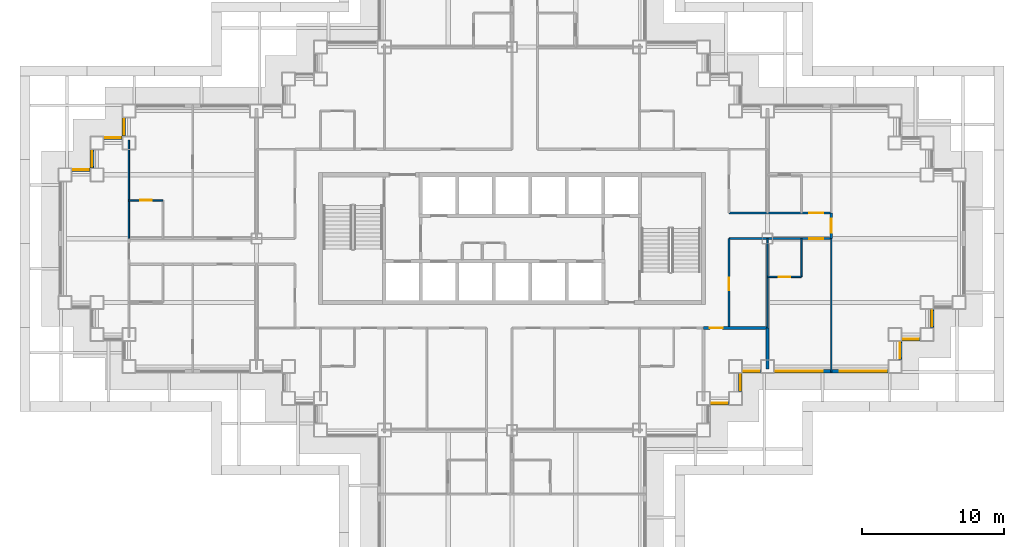
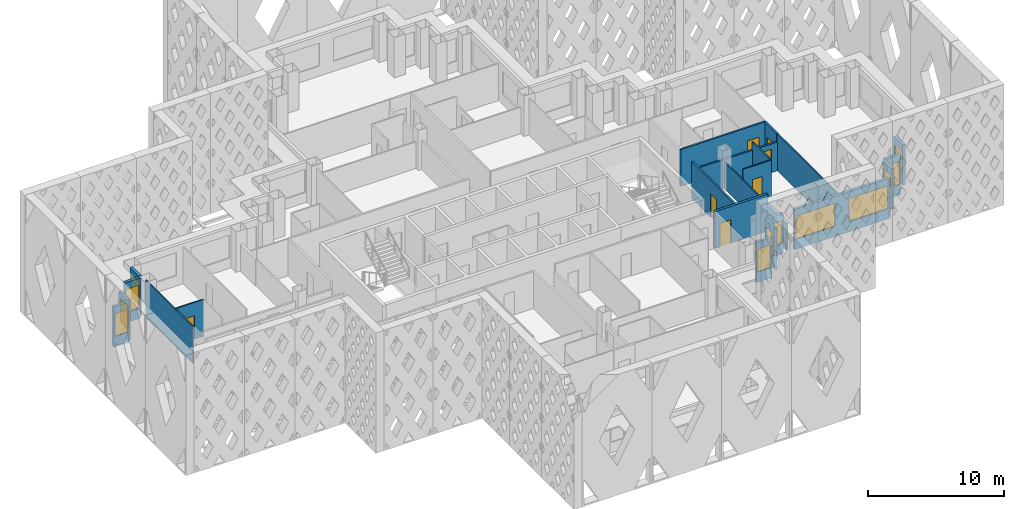
# One storey, part 6 of 19: 23 walls, 12 windows, 7 doors, 19 openings.
"""IFC4 building model written with IfcOpenShell, lengths in metres."""

from ifc_helpers import new_model, si_unit, direction, frame, frame_2d, origin, place, context, subcontext, project, spatial, rectangle, extrude, material, layer, layer_set, type_object, element, fill, save


model = new_model("IFC4")

# Units and contexts
model_context = context("Model", 3, precision=1e-05, world=origin(), true_north=direction((0.0, 1.0)))
body_context = subcontext(model_context, "Body", "Model", "MODEL_VIEW")
ifc_project = project(units=[si_unit("LENGTHUNIT", "METRE"), si_unit("AREAUNIT", "SQUARE_METRE"), si_unit("VOLUMEUNIT", "CUBIC_METRE"), si_unit("PLANEANGLEUNIT", "RADIAN"), si_unit("MASSUNIT", "GRAM", prefix="KILO")], contexts=[model_context])

# Site, building, storey
site_placement = place(None, origin())
site = spatial("IfcSite", under=ifc_project, at=site_placement, CompositionType="ELEMENT")
building_placement = place(site_placement, origin())
building = spatial("IfcBuilding", under=site, at=building_placement, Name="Caravel Reach Hotel and Residences", CompositionType="ELEMENT")
storey_placement = place(building_placement, frame((0.0, 0.0, 85.199951171875)))
storey = spatial("IfcBuildingStorey", under=building, at=storey_placement, Name="L20", CompositionType="ELEMENT", Elevation=85.199951171875)

# Wall, opening, door
ifc_material_1 = material(Name="Gypsum board on steel stud", Category="steel")
ifc_layer_1 = layer(ifc_material_1, 0.10009765625)
ifc_layer_set_1 = layer_set([ifc_layer_1], Name="Bathroom pod wall 100 mm")
wall_type_1 = type_object("IfcWallType", Name="Bathroom pod wall 100 mm", PredefinedType="PARTITIONING", material=ifc_layer_set_1)
wall_1_placement = place(storey_placement, frame((49.5, 24.300048828125, 0.0), z_axis=(0.0, 0.0, 1.0), x_axis=(1.0, 0.0, 0.0)))
wall_1 = element("IfcWall", 1, at=wall_1_placement, inside=storey, type_object=wall_type_1, Name="L20 wall w076", PredefinedType="PARTITIONING", context=body_context, shape_type="SweptSolid", body=[
    extrude(rectangle(XDim=2.39990234375, YDim=0.10009765625, at=frame_2d((1.199951171875, 0.0))), origin(), (0.0, 0.0, 1.0), 3.300048828125),
])
opening_1_placement = place(wall_1_placement, frame((0.800048828125, 0.0, 0.0)))
opening_1 = element("IfcOpeningElement", 2, at=opening_1_placement, cuts=wall_1, Name="Opening D20-023", PredefinedType="OPENING", context=body_context, shape_type="SweptSolid", body=[
    extrude(rectangle(XDim=0.800048828125, YDim=2.10009765625, at=frame_2d((0.39990234375, 1.050048828125))), frame((0.0, 0.06005859375, 0.0), z_axis=(0.0, -1.0, 0.0), x_axis=(1.0, 0.0, 0.0)), (0.0, 0.0, 1.0), 0.1201171875),
])
ifc_material_2 = material(Name="Timber and steel door leaf", Category="steel")
door_type_1 = type_object("IfcDoorType", Name="Bathroom door 800 x 2100", OperationType="SINGLE_SWING_LEFT", PredefinedType="DOOR", material=ifc_material_2)
door_1_placement = place(opening_1_placement, origin())
door_1 = element("IfcDoor", 3, at=door_1_placement, inside=storey, type_object=door_type_1, Name="door D20-023", OperationType="SINGLE_SWING_LEFT", OverallHeight=2.10009765625, OverallWidth=0.800048828125, PredefinedType="DOOR", context=body_context, shape_type="SweptSolid", body=[
    extrude(rectangle(XDim=0.800048828125, YDim=2.10009765625, at=frame_2d((0.39990234375, 1.050048828125))), frame((0.0, 0.02490234375, 0.0), z_axis=(0.0, -1.0, 0.0), x_axis=(1.0, 0.0, 0.0)), (0.0, 0.0, 1.0), 0.050048828125),
])
fill(opening_1, door_1)

wall_2_placement = place(storey_placement, frame((4.5, 29.699951171875, 0.0), z_axis=(0.0, 0.0, 1.0), x_axis=(1.0, 0.0, 0.0)))
wall_2 = element("IfcWall", 4, at=wall_2_placement, inside=storey, type_object=wall_type_1, Name="L20 wall w077", PredefinedType="PARTITIONING", context=body_context, shape_type="SweptSolid", body=[
    extrude(rectangle(XDim=2.39990234375, YDim=0.10009765625, at=frame_2d((1.199951171875, 0.0))), origin(), (0.0, 0.0, 1.0), 3.300048828125),
])
opening_2_placement = place(wall_2_placement, frame((0.800048828125, 0.0, 0.0)))
opening_2 = element("IfcOpeningElement", 5, at=opening_2_placement, cuts=wall_2, Name="Opening D20-021", PredefinedType="OPENING", context=body_context, shape_type="SweptSolid", body=[
    extrude(rectangle(XDim=0.800048828125, YDim=2.10009765625, at=frame_2d((0.39990234375, 1.050048828125))), frame((0.0, 0.06005859375, 0.0), z_axis=(0.0, -1.0, 0.0), x_axis=(1.0, 0.0, 0.0)), (0.0, 0.0, 1.0), 0.1201171875),
])
door_2_placement = place(opening_2_placement, origin())
door_2 = element("IfcDoor", 6, at=door_2_placement, inside=storey, type_object=door_type_1, Name="door D20-021", OperationType="SINGLE_SWING_RIGHT", OverallHeight=2.10009765625, OverallWidth=0.800048828125, PredefinedType="DOOR", context=body_context, shape_type="SweptSolid", body=[
    extrude(rectangle(XDim=0.800048828125, YDim=2.10009765625, at=frame_2d((0.39990234375, 1.050048828125))), frame((0.0, 0.02490234375, 0.0), z_axis=(0.0, -1.0, 0.0), x_axis=(1.0, 0.0, 0.0)), (0.0, 0.0, 1.0), 0.050048828125),
])
fill(opening_2, door_2)

# Wall
wall_3_placement = place(storey_placement, frame((51.89990234375, 24.300048828125, 0.0), z_axis=(0.0, 0.0, 1.0), x_axis=(0.0, 1.0, 0.0)))
element("IfcWall", 7, at=wall_3_placement, inside=storey, type_object=wall_type_1, Name="L20 wall w093", PredefinedType="PARTITIONING", context=body_context, shape_type="SweptSolid", body=[
    extrude(rectangle(XDim=2.699951171875, YDim=0.10009765625, at=frame_2d((1.35009765625, 0.0))), origin(), (0.0, 0.0, 1.0), 3.300048828125),
])

# Wall, opening, door
ifc_material_3 = material(Name="Autoclaved aerated block wall")
ifc_layer_2 = layer(ifc_material_3, 0.199951171875)
ifc_layer_set_2 = layer_set([ifc_layer_2], Name="Compartment wall 200 mm EI 120")
wall_type_2 = type_object("IfcWallType", Name="Compartment wall 200 mm EI 120", PredefinedType="PARTITIONING", material=ifc_layer_set_2)
wall_4_placement = place(storey_placement, frame((45.0, 20.699951171875, 0.0), z_axis=(0.0, 0.0, 1.0), x_axis=(1.0, 0.0, 0.0)))
wall_4 = element("IfcWall", 8, at=wall_4_placement, inside=storey, type_object=wall_type_2, Name="L20 wall w096", PredefinedType="PARTITIONING", context=body_context, shape_type="SweptSolid", body=[
    extrude(rectangle(XDim=4.5, YDim=0.199951171875, at=frame_2d((2.25, 0.0))), origin(), (0.0, 0.0, 1.0), 3.300048828125),
])
opening_3_placement = place(wall_4_placement, frame((0.449951171875, 0.0, 0.0)))
opening_3 = element("IfcOpeningElement", 9, at=opening_3_placement, cuts=wall_4, Name="Opening D20-047", PredefinedType="OPENING", context=body_context, shape_type="SweptSolid", body=[
    extrude(rectangle(XDim=0.89990234375, YDim=2.10009765625, at=frame_2d((0.449951171875, 1.050048828125))), frame((0.0, 0.10986328125, 0.0), z_axis=(0.0, -1.0, 0.0), x_axis=(1.0, 0.0, 0.0)), (0.0, 0.0, 1.0), 0.219970703125),
])
ifc_material_4 = material(Name="Steel fire door leaf", Category="steel")
door_type_2 = type_object("IfcDoorType", Name="Riser door 900 x 2100 EI 60", OperationType="SINGLE_SWING_LEFT", PredefinedType="DOOR", material=ifc_material_4)
door_3_placement = place(opening_3_placement, origin())
door_3 = element("IfcDoor", 10, at=door_3_placement, inside=storey, type_object=door_type_2, Name="door D20-047", OperationType="SINGLE_SWING_LEFT", OverallHeight=2.10009765625, OverallWidth=0.89990234375, PredefinedType="DOOR", context=body_context, shape_type="SweptSolid", body=[
    extrude(rectangle(XDim=0.89990234375, YDim=2.10009765625, at=frame_2d((0.449951171875, 1.050048828125))), frame((0.0, 0.02490234375, 0.0), z_axis=(0.0, -1.0, 0.0), x_axis=(1.0, 0.0, 0.0)), (0.0, 0.0, 1.0), 0.050048828125),
])
fill(opening_3, door_3)

# Wall
wall_5_placement = place(storey_placement, frame((49.5, 17.81005859375, 0.0), z_axis=(0.0, 0.0, 1.0), x_axis=(0.0, 1.0, 0.0)))
element("IfcWall", 11, at=wall_5_placement, inside=storey, type_object=wall_type_2, Name="L20 wall w099", PredefinedType="PARTITIONING", context=body_context, shape_type="SweptSolid", body=[
    extrude(rectangle(XDim=2.889892578125, YDim=0.199951171875, at=frame_2d((1.44482421875, 0.0))), origin(), (0.0, 0.0, 1.0), 2.380126953125),
])

# Wall, opening, door
ifc_material_5 = material(Name="Gypsum board on steel stud, fire-rated", Category="steel")
ifc_layer_3 = layer(ifc_material_5, 0.14990234375)
ifc_layer_set_3 = layer_set([ifc_layer_3], Name="Corridor wall 150 mm EI 60")
wall_type_3 = type_object("IfcWallType", Name="Corridor wall 150 mm EI 60", PredefinedType="PARTITIONING", material=ifc_layer_set_3)
wall_6_placement = place(storey_placement, frame((46.800048828125, 27.0, 0.0), z_axis=(0.0, 0.0, 1.0), x_axis=(1.0, 0.0, 0.0)))
wall_6 = element("IfcWall", 12, at=wall_6_placement, inside=storey, type_object=wall_type_3, Name="L20 wall w012", PredefinedType="PARTITIONING", context=body_context, shape_type="SweptSolid", body=[
    extrude(rectangle(XDim=7.199951171875, YDim=0.14990234375, at=frame_2d((3.60009765625, 0.0))), origin(), (0.0, 0.0, 1.0), 2.580078125),
])
opening_4_placement = place(wall_6_placement, frame((5.64990234375, 0.0, 0.0)))
opening_4 = element("IfcOpeningElement", 13, at=opening_4_placement, cuts=wall_6, Name="Opening D20-022", PredefinedType="OPENING", context=body_context, shape_type="SweptSolid", body=[
    extrude(rectangle(XDim=1.0, YDim=2.10009765625, at=frame_2d((0.5, 1.050048828125))), frame((0.0, 0.0849609375, 0.0), z_axis=(0.0, -1.0, 0.0), x_axis=(1.0, 0.0, 0.0)), (0.0, 0.0, 1.0), 0.169921875),
])
ifc_material_6 = material(Name="Steel fire door leaf", Category="steel")
door_type_3 = type_object("IfcDoorType", Name="Guest room door 1000 x 2100 EI 30", OperationType="SINGLE_SWING_LEFT", PredefinedType="DOOR", material=ifc_material_6)
door_4_placement = place(opening_4_placement, origin())
door_4 = element("IfcDoor", 14, at=door_4_placement, inside=storey, type_object=door_type_3, Name="door D20-022", OperationType="SINGLE_SWING_RIGHT", OverallHeight=2.10009765625, OverallWidth=1.0, PredefinedType="DOOR", context=body_context, shape_type="SweptSolid", body=[
    extrude(rectangle(XDim=1.0, YDim=2.10009765625, at=frame_2d((0.5, 1.050048828125))), frame((0.0, 0.02490234375, 0.0), z_axis=(0.0, -1.0, 0.0), x_axis=(1.0, 0.0, 0.0)), (0.0, 0.0, 1.0), 0.050048828125),
])
fill(opening_4, door_4)

wall_7_placement = place(storey_placement, frame((46.800048828125, 28.800048828125, 0.0), z_axis=(0.0, 0.0, 1.0), x_axis=(1.0, 0.0, 0.0)))
wall_7 = element("IfcWall", 15, at=wall_7_placement, inside=storey, type_object=wall_type_3, Name="L20 wall w017", PredefinedType="PARTITIONING", context=body_context, shape_type="SweptSolid", body=[
    extrude(rectangle(XDim=7.199951171875, YDim=0.14990234375, at=frame_2d((3.60009765625, 0.0))), origin(), (0.0, 0.0, 1.0), 3.300048828125),
])
opening_5_placement = place(wall_7_placement, frame((5.64990234375, 0.0, 0.0)))
opening_5 = element("IfcOpeningElement", 16, at=opening_5_placement, cuts=wall_7, Name="Opening D20-024", PredefinedType="OPENING", context=body_context, shape_type="SweptSolid", body=[
    extrude(rectangle(XDim=1.0, YDim=2.10009765625, at=frame_2d((0.5, 1.050048828125))), frame((0.0, 0.0849609375, 0.0), z_axis=(0.0, -1.0, 0.0), x_axis=(1.0, 0.0, 0.0)), (0.0, 0.0, 1.0), 0.169921875),
])
door_5_placement = place(opening_5_placement, origin())
door_5 = element("IfcDoor", 17, at=door_5_placement, inside=storey, type_object=door_type_3, Name="door D20-024", OperationType="SINGLE_SWING_RIGHT", OverallHeight=2.10009765625, OverallWidth=1.0, PredefinedType="DOOR", context=body_context, shape_type="SweptSolid", body=[
    extrude(rectangle(XDim=1.0, YDim=2.10009765625, at=frame_2d((0.5, 1.050048828125))), frame((0.0, 0.02490234375, 0.0), z_axis=(0.0, -1.0, 0.0), x_axis=(1.0, 0.0, 0.0)), (0.0, 0.0, 1.0), 0.050048828125),
])
fill(opening_5, door_5)

wall_8_placement = place(storey_placement, frame((46.800048828125, 20.699951171875, 0.0), z_axis=(0.0, 0.0, 1.0), x_axis=(0.0, 1.0, 0.0)))
wall_8 = element("IfcWall", 18, at=wall_8_placement, inside=storey, type_object=wall_type_3, Name="L20 wall w036", PredefinedType="PARTITIONING", context=body_context, shape_type="SweptSolid", body=[
    extrude(rectangle(XDim=6.300048828125, YDim=0.14990234375, at=frame_2d((3.14990234375, 0.0))), origin(), (0.0, 0.0, 1.0), 3.300048828125),
])
opening_6_placement = place(wall_8_placement, frame((2.64990234375, 0.0, 0.0)))
opening_6 = element("IfcOpeningElement", 19, at=opening_6_placement, cuts=wall_8, Name="Opening D20-056", PredefinedType="OPENING", context=body_context, shape_type="SweptSolid", body=[
    extrude(rectangle(XDim=0.89990234375, YDim=2.10009765625, at=frame_2d((0.449951171875, 1.050048828125))), frame((0.0, 0.0849609375, 0.0), z_axis=(0.0, -1.0, 0.0), x_axis=(1.0, 0.0, 0.0)), (0.0, 0.0, 1.0), 0.169921875),
])
ifc_material_7 = material(Name="Timber and steel door leaf", Category="steel")
door_type_4 = type_object("IfcDoorType", Name="Door 900 x 2100 timber", OperationType="SINGLE_SWING_LEFT", PredefinedType="DOOR", material=ifc_material_7)
door_6_placement = place(opening_6_placement, origin())
door_6 = element("IfcDoor", 20, at=door_6_placement, inside=storey, type_object=door_type_4, Name="door D20-056", OperationType="SINGLE_SWING_RIGHT", OverallHeight=2.10009765625, OverallWidth=0.89990234375, PredefinedType="DOOR", context=body_context, shape_type="SweptSolid", body=[
    extrude(rectangle(XDim=0.89990234375, YDim=2.10009765625, at=frame_2d((0.449951171875, 1.050048828125))), frame((0.0, 0.02490234375, 0.0), z_axis=(0.0, -1.0, 0.0), x_axis=(1.0, 0.0, 0.0)), (0.0, 0.0, 1.0), 0.050048828125),
])
fill(opening_6, door_6)

wall_9_placement = place(storey_placement, frame((54.0, 27.0, 0.0), z_axis=(0.0, 0.0, 1.0), x_axis=(0.0, 1.0, 0.0)))
wall_9 = element("IfcWall", 21, at=wall_9_placement, inside=storey, type_object=wall_type_3, Name="L20 wall w037", PredefinedType="PARTITIONING", context=body_context, shape_type="SweptSolid", body=[
    extrude(rectangle(XDim=1.800048828125, YDim=0.14990234375, at=frame_2d((0.89990234375, 0.0))), origin(), (0.0, 0.0, 1.0), 3.300048828125),
])
opening_7_placement = place(wall_9_placement, frame((0.39990234375, 0.0, 0.0)))
opening_7 = element("IfcOpeningElement", 22, at=opening_7_placement, cuts=wall_9, Name="Opening D20-035", PredefinedType="OPENING", context=body_context, shape_type="SweptSolid", body=[
    extrude(rectangle(XDim=1.0, YDim=2.10009765625, at=frame_2d((0.5, 1.050048828125))), frame((0.0, 0.0849609375, 0.0), z_axis=(0.0, -1.0, 0.0), x_axis=(1.0, 0.0, 0.0)), (0.0, 0.0, 1.0), 0.169921875),
])
door_7_placement = place(opening_7_placement, origin())
door_7 = element("IfcDoor", 23, at=door_7_placement, inside=storey, type_object=door_type_3, Name="door D20-035", OperationType="SINGLE_SWING_LEFT", OverallHeight=2.10009765625, OverallWidth=1.0, PredefinedType="DOOR", context=body_context, shape_type="SweptSolid", body=[
    extrude(rectangle(XDim=1.0, YDim=2.10009765625, at=frame_2d((0.5, 1.050048828125))), frame((0.0, 0.02490234375, 0.0), z_axis=(0.0, -1.0, 0.0), x_axis=(1.0, 0.0, 0.0)), (0.0, 0.0, 1.0), 0.050048828125),
])
fill(opening_7, door_7)

# Wall, opening, window
ifc_material_8 = material(Name="Insulated rainscreen wall, aluminium cladding", Category="aluminium")
ifc_layer_4 = layer(ifc_material_8, 0.25)
ifc_layer_set_4 = layer_set([ifc_layer_4], Name="EW1 Tower rainscreen wall")
wall_type_4 = type_object("IfcWallType", Name="EW1 Tower rainscreen wall", PredefinedType="SOLIDWALL", material=ifc_layer_set_4)
wall_10_placement = place(storey_placement, frame((45.47509765625, 15.39990234375, 0.0), z_axis=(0.0, 0.0, 1.0), x_axis=(1.0, 0.0, 0.0)))
wall_10 = element("IfcWall", 24, at=wall_10_placement, inside=storey, type_object=wall_type_4, Name="External wall L20 S13.1", PredefinedType="SOLIDWALL", context=body_context, shape_type="SweptSolid", body=[
    extrude(rectangle(XDim=1.2998046875, YDim=0.25, at=frame_2d((0.64990234375, 0.0))), origin(), (0.0, 0.0, 1.0), 3.60009765625),
])
opening_8_placement = place(wall_10_placement, frame((0.10009765625, 0.0, 0.89990234375)))
opening_8 = element("IfcOpeningElement", 25, at=opening_8_placement, cuts=wall_10, Name="Opening WN5", PredefinedType="OPENING", context=body_context, shape_type="SweptSolid", body=[
    extrude(rectangle(XDim=1.10009765625, YDim=2.080078125, at=frame_2d((0.550048828125, 1.0400390625))), frame((0.0, 0.135009765625, 0.0), z_axis=(0.0, -1.0, 0.0), x_axis=(1.0, 0.0, 0.0)), (0.0, 0.0, 1.0), 0.27001953125),
])
ifc_material_9 = material(Name="Dark low-e glazing in black aluminium frame", Category="aluminium")
window_type_1 = type_object("IfcWindowType", Name="Hotel suite corner window 1100 x 2080", PartitioningType="SINGLE_PANEL", PredefinedType="WINDOW", material=ifc_material_9)
window_1_placement = place(opening_8_placement, origin())
window_1 = element("IfcWindow", 26, at=window_1_placement, inside=storey, type_object=window_type_1, Name="Window L20 S13.1.1", OverallHeight=2.080078125, OverallWidth=1.10009765625, PartitioningType="SINGLE_PANEL", PredefinedType="WINDOW", context=body_context, shape_type="SweptSolid", body=[
    extrude(rectangle(XDim=1.10009765625, YDim=2.080078125, at=frame_2d((0.550048828125, 1.0400390625))), frame((0.0, 0.030029296875, 0.0), z_axis=(0.0, -1.0, 0.0), x_axis=(1.0, 0.0, 0.0)), (0.0, 0.0, 1.0), 0.06005859375),
])
fill(opening_8, window_1)

wall_11_placement = place(storey_placement, frame((47.60009765625, 16.22509765625, 0.0), z_axis=(0.0, 0.0, 1.0), x_axis=(0.0, 1.0, 0.0)))
wall_11 = element("IfcWall", 27, at=wall_11_placement, inside=storey, type_object=wall_type_4, Name="External wall L20 E14.1", PredefinedType="SOLIDWALL", context=body_context, shape_type="SweptSolid", body=[
    extrude(rectangle(XDim=1.2998046875, YDim=0.25, at=frame_2d((0.64990234375, 0.0))), origin(), (0.0, 0.0, 1.0), 3.60009765625),
])
opening_9_placement = place(wall_11_placement, frame((0.10009765625, 0.0, 0.89990234375)))
opening_9 = element("IfcOpeningElement", 28, at=opening_9_placement, cuts=wall_11, Name="Opening WN5", PredefinedType="OPENING", context=body_context, shape_type="SweptSolid", body=[
    extrude(rectangle(XDim=1.10009765625, YDim=2.080078125, at=frame_2d((0.550048828125, 1.0400390625))), frame((0.0, 0.135009765625, 0.0), z_axis=(0.0, -1.0, 0.0), x_axis=(1.0, 0.0, 0.0)), (0.0, 0.0, 1.0), 0.27001953125),
])
window_2_placement = place(opening_9_placement, origin())
window_2 = element("IfcWindow", 29, at=window_2_placement, inside=storey, type_object=window_type_1, Name="Window L20 E14.1.1", OverallHeight=2.080078125, OverallWidth=1.10009765625, PartitioningType="SINGLE_PANEL", PredefinedType="WINDOW", context=body_context, shape_type="SweptSolid", body=[
    extrude(rectangle(XDim=1.10009765625, YDim=2.080078125, at=frame_2d((0.550048828125, 1.0400390625))), frame((0.0, 0.030029296875, 0.0), z_axis=(0.0, -1.0, 0.0), x_axis=(1.0, 0.0, 0.0)), (0.0, 0.0, 1.0), 0.06005859375),
])
fill(opening_9, window_2)

wall_12_placement = place(storey_placement, frame((47.72509765625, 17.64990234375, 0.0), z_axis=(0.0, 0.0, 1.0), x_axis=(1.0, 0.0, 0.0)))
wall_12 = element("IfcWall", 30, at=wall_12_placement, inside=storey, type_object=wall_type_4, Name="External wall L20 S15.1", PredefinedType="SOLIDWALL", context=body_context, shape_type="SweptSolid", body=[
    extrude(rectangle(XDim=1.2998046875, YDim=0.25, at=frame_2d((0.64990234375, 0.0))), origin(), (0.0, 0.0, 1.0), 3.60009765625),
])
opening_10_placement = place(wall_12_placement, frame((0.10009765625, 0.0, 0.89990234375)))
opening_10 = element("IfcOpeningElement", 31, at=opening_10_placement, cuts=wall_12, Name="Opening WN5", PredefinedType="OPENING", context=body_context, shape_type="SweptSolid", body=[
    extrude(rectangle(XDim=1.10009765625, YDim=2.080078125, at=frame_2d((0.550048828125, 1.0400390625))), frame((0.0, 0.135009765625, 0.0), z_axis=(0.0, -1.0, 0.0), x_axis=(1.0, 0.0, 0.0)), (0.0, 0.0, 1.0), 0.27001953125),
])
window_3_placement = place(opening_10_placement, origin())
window_3 = element("IfcWindow", 32, at=window_3_placement, inside=storey, type_object=window_type_1, Name="Window L20 S15.1.1", OverallHeight=2.080078125, OverallWidth=1.10009765625, PartitioningType="SINGLE_PANEL", PredefinedType="WINDOW", context=body_context, shape_type="SweptSolid", body=[
    extrude(rectangle(XDim=1.10009765625, YDim=2.080078125, at=frame_2d((0.550048828125, 1.0400390625))), frame((0.0, 0.030029296875, 0.0), z_axis=(0.0, -1.0, 0.0), x_axis=(1.0, 0.0, 0.0)), (0.0, 0.0, 1.0), 0.06005859375),
])
fill(opening_10, window_3)

# Wall, openings, windows
wall_13_placement = place(storey_placement, frame((49.97509765625, 17.64990234375, 0.0), z_axis=(0.0, 0.0, 1.0), x_axis=(1.0, 0.0, 0.0)))
wall_13 = element("IfcWall", 33, at=wall_13_placement, inside=storey, type_object=wall_type_4, Name="External wall L20 S15.2", PredefinedType="SOLIDWALL", context=body_context, shape_type="SweptSolid", body=[
    extrude(rectangle(XDim=8.0498046875, YDim=0.25, at=frame_2d((4.02490234375, 0.0))), origin(), (0.0, 0.0, 1.0), 3.60009765625),
])
opening_11_placement = place(wall_13_placement, frame((0.125, 0.0, 0.89990234375)))
opening_11 = element("IfcOpeningElement", 34, at=opening_11_placement, cuts=wall_13, Name="Opening WN4", PredefinedType="OPENING", context=body_context, shape_type="SweptSolid", body=[
    extrude(rectangle(XDim=3.300048828125, YDim=2.080078125, at=frame_2d((1.64990234375, 1.0400390625))), frame((0.0, 0.135009765625, 0.0), z_axis=(0.0, -1.0, 0.0), x_axis=(1.0, 0.0, 0.0)), (0.0, 0.0, 1.0), 0.27001953125),
])
opening_12_placement = place(wall_13_placement, frame((4.625, 0.0, 0.89990234375)))
opening_12 = element("IfcOpeningElement", 35, at=opening_12_placement, cuts=wall_13, Name="Opening WN4", PredefinedType="OPENING", context=body_context, shape_type="SweptSolid", body=[
    extrude(rectangle(XDim=3.300048828125, YDim=2.080078125, at=frame_2d((1.64990234375, 1.0400390625))), frame((0.0, 0.135009765625, 0.0), z_axis=(0.0, -1.0, 0.0), x_axis=(1.0, 0.0, 0.0)), (0.0, 0.0, 1.0), 0.27001953125),
])
ifc_material_10 = material(Name="Dark low-e glazing in black aluminium frame", Category="aluminium")
window_type_2 = type_object("IfcWindowType", Name="Hotel guest room window 3300 x 2080", PartitioningType="SINGLE_PANEL", PredefinedType="WINDOW", material=ifc_material_10)
window_4_placement = place(opening_11_placement, origin())
window_4 = element("IfcWindow", 36, at=window_4_placement, inside=storey, type_object=window_type_2, Name="Window L20 S15.2.1", OverallHeight=2.080078125, OverallWidth=3.300048828125, PartitioningType="SINGLE_PANEL", PredefinedType="WINDOW", context=body_context, shape_type="SweptSolid", body=[
    extrude(rectangle(XDim=3.300048828125, YDim=2.080078125, at=frame_2d((1.64990234375, 1.0400390625))), frame((0.0, 0.030029296875, 0.0), z_axis=(0.0, -1.0, 0.0), x_axis=(1.0, 0.0, 0.0)), (0.0, 0.0, 1.0), 0.06005859375),
])
fill(opening_11, window_4)
window_5_placement = place(opening_12_placement, origin())
window_5 = element("IfcWindow", 37, at=window_5_placement, inside=storey, type_object=window_type_2, Name="Window L20 S15.2.2", OverallHeight=2.080078125, OverallWidth=3.300048828125, PartitioningType="SINGLE_PANEL", PredefinedType="WINDOW", context=body_context, shape_type="SweptSolid", body=[
    extrude(rectangle(XDim=3.300048828125, YDim=2.080078125, at=frame_2d((1.64990234375, 1.0400390625))), frame((0.0, 0.030029296875, 0.0), z_axis=(0.0, -1.0, 0.0), x_axis=(1.0, 0.0, 0.0)), (0.0, 0.0, 1.0), 0.06005859375),
])
fill(opening_12, window_5)

# Wall, opening, window
wall_14_placement = place(storey_placement, frame((58.85009765625, 18.47509765625, 0.0), z_axis=(0.0, 0.0, 1.0), x_axis=(0.0, 1.0, 0.0)))
wall_14 = element("IfcWall", 38, at=wall_14_placement, inside=storey, type_object=wall_type_4, Name="External wall L20 E16.1", PredefinedType="SOLIDWALL", context=body_context, shape_type="SweptSolid", body=[
    extrude(rectangle(XDim=1.2998046875, YDim=0.25, at=frame_2d((0.64990234375, 0.0))), origin(), (0.0, 0.0, 1.0), 3.60009765625),
])
opening_13_placement = place(wall_14_placement, frame((0.10009765625, 0.0, 0.89990234375)))
opening_13 = element("IfcOpeningElement", 39, at=opening_13_placement, cuts=wall_14, Name="Opening WN5", PredefinedType="OPENING", context=body_context, shape_type="SweptSolid", body=[
    extrude(rectangle(XDim=1.10009765625, YDim=2.080078125, at=frame_2d((0.550048828125, 1.0400390625))), frame((0.0, 0.135009765625, 0.0), z_axis=(0.0, -1.0, 0.0), x_axis=(1.0, 0.0, 0.0)), (0.0, 0.0, 1.0), 0.27001953125),
])
window_6_placement = place(opening_13_placement, origin())
window_6 = element("IfcWindow", 40, at=window_6_placement, inside=storey, type_object=window_type_1, Name="Window L20 E16.1.1", OverallHeight=2.080078125, OverallWidth=1.10009765625, PartitioningType="SINGLE_PANEL", PredefinedType="WINDOW", context=body_context, shape_type="SweptSolid", body=[
    extrude(rectangle(XDim=1.10009765625, YDim=2.080078125, at=frame_2d((0.550048828125, 1.0400390625))), frame((0.0, 0.030029296875, 0.0), z_axis=(0.0, -1.0, 0.0), x_axis=(1.0, 0.0, 0.0)), (0.0, 0.0, 1.0), 0.06005859375),
])
fill(opening_13, window_6)

wall_15_placement = place(storey_placement, frame((58.97509765625, 19.89990234375, 0.0), z_axis=(0.0, 0.0, 1.0), x_axis=(1.0, 0.0, 0.0)))
wall_15 = element("IfcWall", 41, at=wall_15_placement, inside=storey, type_object=wall_type_4, Name="External wall L20 S17.1", PredefinedType="SOLIDWALL", context=body_context, shape_type="SweptSolid", body=[
    extrude(rectangle(XDim=1.2998046875, YDim=0.25, at=frame_2d((0.64990234375, 0.0))), origin(), (0.0, 0.0, 1.0), 3.60009765625),
])
opening_14_placement = place(wall_15_placement, frame((0.10009765625, 0.0, 0.89990234375)))
opening_14 = element("IfcOpeningElement", 42, at=opening_14_placement, cuts=wall_15, Name="Opening WN5", PredefinedType="OPENING", context=body_context, shape_type="SweptSolid", body=[
    extrude(rectangle(XDim=1.10009765625, YDim=2.080078125, at=frame_2d((0.550048828125, 1.0400390625))), frame((0.0, 0.135009765625, 0.0), z_axis=(0.0, -1.0, 0.0), x_axis=(1.0, 0.0, 0.0)), (0.0, 0.0, 1.0), 0.27001953125),
])
window_7_placement = place(opening_14_placement, origin())
window_7 = element("IfcWindow", 43, at=window_7_placement, inside=storey, type_object=window_type_1, Name="Window L20 S17.1.1", OverallHeight=2.080078125, OverallWidth=1.10009765625, PartitioningType="SINGLE_PANEL", PredefinedType="WINDOW", context=body_context, shape_type="SweptSolid", body=[
    extrude(rectangle(XDim=1.10009765625, YDim=2.080078125, at=frame_2d((0.550048828125, 1.0400390625))), frame((0.0, 0.030029296875, 0.0), z_axis=(0.0, -1.0, 0.0), x_axis=(1.0, 0.0, 0.0)), (0.0, 0.0, 1.0), 0.06005859375),
])
fill(opening_14, window_7)

wall_16_placement = place(storey_placement, frame((61.10009765625, 20.72509765625, 0.0), z_axis=(0.0, 0.0, 1.0), x_axis=(0.0, 1.0, 0.0)))
wall_16 = element("IfcWall", 44, at=wall_16_placement, inside=storey, type_object=wall_type_4, Name="External wall L20 E18.1", PredefinedType="SOLIDWALL", context=body_context, shape_type="SweptSolid", body=[
    extrude(rectangle(XDim=1.2998046875, YDim=0.25, at=frame_2d((0.64990234375, 0.0))), origin(), (0.0, 0.0, 1.0), 3.60009765625),
])
opening_15_placement = place(wall_16_placement, frame((0.10009765625, 0.0, 0.89990234375)))
opening_15 = element("IfcOpeningElement", 45, at=opening_15_placement, cuts=wall_16, Name="Opening WN5", PredefinedType="OPENING", context=body_context, shape_type="SweptSolid", body=[
    extrude(rectangle(XDim=1.10009765625, YDim=2.080078125, at=frame_2d((0.550048828125, 1.0400390625))), frame((0.0, 0.135009765625, 0.0), z_axis=(0.0, -1.0, 0.0), x_axis=(1.0, 0.0, 0.0)), (0.0, 0.0, 1.0), 0.27001953125),
])
window_8_placement = place(opening_15_placement, origin())
window_8 = element("IfcWindow", 46, at=window_8_placement, inside=storey, type_object=window_type_1, Name="Window L20 E18.1.1", OverallHeight=2.080078125, OverallWidth=1.10009765625, PartitioningType="SINGLE_PANEL", PredefinedType="WINDOW", context=body_context, shape_type="SweptSolid", body=[
    extrude(rectangle(XDim=1.10009765625, YDim=2.080078125, at=frame_2d((0.550048828125, 1.0400390625))), frame((0.0, 0.030029296875, 0.0), z_axis=(0.0, -1.0, 0.0), x_axis=(1.0, 0.0, 0.0)), (0.0, 0.0, 1.0), 0.06005859375),
])
fill(opening_15, window_8)

wall_17_placement = place(storey_placement, frame((4.14990234375, 35.52490234375, 0.0), z_axis=(0.0, 0.0, 1.0), x_axis=(0.0, -1.0, 0.0)))
wall_17 = element("IfcWall", 47, at=wall_17_placement, inside=storey, type_object=wall_type_4, Name="External wall L20 W46.1", PredefinedType="SOLIDWALL", context=body_context, shape_type="SweptSolid", body=[
    extrude(rectangle(XDim=1.2998046875, YDim=0.25, at=frame_2d((0.64990234375, 0.0))), origin(), (0.0, 0.0, 1.0), 3.60009765625),
])
opening_16_placement = place(wall_17_placement, frame((0.10009765625, 0.0, 0.89990234375)))
opening_16 = element("IfcOpeningElement", 48, at=opening_16_placement, cuts=wall_17, Name="Opening WN5", PredefinedType="OPENING", context=body_context, shape_type="SweptSolid", body=[
    extrude(rectangle(XDim=1.10009765625, YDim=2.080078125, at=frame_2d((0.550048828125, 1.0400390625))), frame((0.0, 0.135009765625, 0.0), z_axis=(0.0, -1.0, 0.0), x_axis=(1.0, 0.0, 0.0)), (0.0, 0.0, 1.0), 0.27001953125),
])
window_9_placement = place(opening_16_placement, origin())
window_9 = element("IfcWindow", 49, at=window_9_placement, inside=storey, type_object=window_type_1, Name="Window L20 W46.1.1", OverallHeight=2.080078125, OverallWidth=1.10009765625, PartitioningType="SINGLE_PANEL", PredefinedType="WINDOW", context=body_context, shape_type="SweptSolid", body=[
    extrude(rectangle(XDim=1.10009765625, YDim=2.080078125, at=frame_2d((0.550048828125, 1.0400390625))), frame((0.0, 0.030029296875, 0.0), z_axis=(0.0, -1.0, 0.0), x_axis=(1.0, 0.0, 0.0)), (0.0, 0.0, 1.0), 0.06005859375),
])
fill(opening_16, window_9)

wall_18_placement = place(storey_placement, frame((4.02490234375, 34.10009765625, 0.0), z_axis=(0.0, 0.0, 1.0), x_axis=(-1.0, 0.0, 0.0)))
wall_18 = element("IfcWall", 50, at=wall_18_placement, inside=storey, type_object=wall_type_4, Name="External wall L20 N47.1", PredefinedType="SOLIDWALL", context=body_context, shape_type="SweptSolid", body=[
    extrude(rectangle(XDim=1.2998046875, YDim=0.25, at=frame_2d((0.64990234375, 0.0))), origin(), (0.0, 0.0, 1.0), 3.60009765625),
])
opening_17_placement = place(wall_18_placement, frame((0.10009765625, 0.0, 0.89990234375)))
opening_17 = element("IfcOpeningElement", 51, at=opening_17_placement, cuts=wall_18, Name="Opening WN5", PredefinedType="OPENING", context=body_context, shape_type="SweptSolid", body=[
    extrude(rectangle(XDim=1.10009765625, YDim=2.080078125, at=frame_2d((0.550048828125, 1.0400390625))), frame((0.0, 0.135009765625, 0.0), z_axis=(0.0, -1.0, 0.0), x_axis=(1.0, 0.0, 0.0)), (0.0, 0.0, 1.0), 0.27001953125),
])
window_10_placement = place(opening_17_placement, origin())
window_10 = element("IfcWindow", 52, at=window_10_placement, inside=storey, type_object=window_type_1, Name="Window L20 N47.1.1", OverallHeight=2.080078125, OverallWidth=1.10009765625, PartitioningType="SINGLE_PANEL", PredefinedType="WINDOW", context=body_context, shape_type="SweptSolid", body=[
    extrude(rectangle(XDim=1.10009765625, YDim=2.080078125, at=frame_2d((0.550048828125, 1.0400390625))), frame((0.0, 0.030029296875, 0.0), z_axis=(0.0, -1.0, 0.0), x_axis=(1.0, 0.0, 0.0)), (0.0, 0.0, 1.0), 0.06005859375),
])
fill(opening_17, window_10)

wall_19_placement = place(storey_placement, frame((1.89990234375, 33.27490234375, 0.0), z_axis=(0.0, 0.0, 1.0), x_axis=(0.0, -1.0, 0.0)))
wall_19 = element("IfcWall", 53, at=wall_19_placement, inside=storey, type_object=wall_type_4, Name="External wall L20 W48.1", PredefinedType="SOLIDWALL", context=body_context, shape_type="SweptSolid", body=[
    extrude(rectangle(XDim=1.2998046875, YDim=0.25, at=frame_2d((0.64990234375, 0.0))), origin(), (0.0, 0.0, 1.0), 3.60009765625),
])
opening_18_placement = place(wall_19_placement, frame((0.10009765625, 0.0, 0.89990234375)))
opening_18 = element("IfcOpeningElement", 54, at=opening_18_placement, cuts=wall_19, Name="Opening WN5", PredefinedType="OPENING", context=body_context, shape_type="SweptSolid", body=[
    extrude(rectangle(XDim=1.10009765625, YDim=2.080078125, at=frame_2d((0.550048828125, 1.0400390625))), frame((0.0, 0.135009765625, 0.0), z_axis=(0.0, -1.0, 0.0), x_axis=(1.0, 0.0, 0.0)), (0.0, 0.0, 1.0), 0.27001953125),
])
window_11_placement = place(opening_18_placement, origin())
window_11 = element("IfcWindow", 55, at=window_11_placement, inside=storey, type_object=window_type_1, Name="Window L20 W48.1.1", OverallHeight=2.080078125, OverallWidth=1.10009765625, PartitioningType="SINGLE_PANEL", PredefinedType="WINDOW", context=body_context, shape_type="SweptSolid", body=[
    extrude(rectangle(XDim=1.10009765625, YDim=2.080078125, at=frame_2d((0.550048828125, 1.0400390625))), frame((0.0, 0.030029296875, 0.0), z_axis=(0.0, -1.0, 0.0), x_axis=(1.0, 0.0, 0.0)), (0.0, 0.0, 1.0), 0.06005859375),
])
fill(opening_18, window_11)

wall_20_placement = place(storey_placement, frame((1.77490234375, 31.85009765625, 0.0), z_axis=(0.0, 0.0, 1.0), x_axis=(-1.0, 0.0, 0.0)))
wall_20 = element("IfcWall", 56, at=wall_20_placement, inside=storey, type_object=wall_type_4, Name="External wall L20 N49.1", PredefinedType="SOLIDWALL", context=body_context, shape_type="SweptSolid", body=[
    extrude(rectangle(XDim=1.2998046875, YDim=0.25, at=frame_2d((0.64990234375, 0.0))), origin(), (0.0, 0.0, 1.0), 3.60009765625),
])
opening_19_placement = place(wall_20_placement, frame((0.10009765625, 0.0, 0.89990234375)))
opening_19 = element("IfcOpeningElement", 57, at=opening_19_placement, cuts=wall_20, Name="Opening WN5", PredefinedType="OPENING", context=body_context, shape_type="SweptSolid", body=[
    extrude(rectangle(XDim=1.10009765625, YDim=2.080078125, at=frame_2d((0.550048828125, 1.0400390625))), frame((0.0, 0.135009765625, 0.0), z_axis=(0.0, -1.0, 0.0), x_axis=(1.0, 0.0, 0.0)), (0.0, 0.0, 1.0), 0.27001953125),
])
window_12_placement = place(opening_19_placement, origin())
window_12 = element("IfcWindow", 58, at=window_12_placement, inside=storey, type_object=window_type_1, Name="Window L20 N49.1.1", OverallHeight=2.080078125, OverallWidth=1.10009765625, PartitioningType="SINGLE_PANEL", PredefinedType="WINDOW", context=body_context, shape_type="SweptSolid", body=[
    extrude(rectangle(XDim=1.10009765625, YDim=2.080078125, at=frame_2d((0.550048828125, 1.0400390625))), frame((0.0, 0.030029296875, 0.0), z_axis=(0.0, -1.0, 0.0), x_axis=(1.0, 0.0, 0.0)), (0.0, 0.0, 1.0), 0.06005859375),
])
fill(opening_19, window_12)

# Walls
ifc_material_11 = material(Name="Gypsum board on steel stud", Category="steel")
ifc_layer_5 = layer(ifc_material_11, 0.10009765625)
ifc_layer_set_5 = layer_set([ifc_layer_5], Name="Partition 100 mm")
wall_type_5 = type_object("IfcWallType", Name="Partition 100 mm", PredefinedType="PARTITIONING", material=ifc_layer_set_5)
wall_21_placement = place(storey_placement, frame((4.5, 27.0, 0.0), z_axis=(0.0, 0.0, 1.0), x_axis=(0.0, 1.0, 0.0)))
element("IfcWall", 59, at=wall_21_placement, inside=storey, type_object=wall_type_5, Name="L20 wall w059", PredefinedType="PARTITIONING", context=body_context, shape_type="SweptSolid", body=[
    extrude(rectangle(XDim=6.93994140625, YDim=0.10009765625, at=frame_2d((3.469970703125, 0.0))), origin(), (0.0, 0.0, 1.0), 3.300048828125),
])
wall_22_placement = place(storey_placement, frame((49.5, 20.699951171875, 0.0), z_axis=(0.0, 0.0, 1.0), x_axis=(0.0, 1.0, 0.0)))
element("IfcWall", 60, at=wall_22_placement, inside=storey, type_object=wall_type_5, Name="L20 wall w064", PredefinedType="PARTITIONING", context=body_context, shape_type="SweptSolid", body=[
    extrude(rectangle(XDim=6.300048828125, YDim=0.10009765625, at=frame_2d((3.14990234375, 0.0))), origin(), (0.0, 0.0, 1.0), 2.380126953125),
])
wall_23_placement = place(storey_placement, frame((54.0, 17.5849609375, 0.0), z_axis=(0.0, 0.0, 1.0), x_axis=(0.0, 1.0, 0.0)))
element("IfcWall", 61, at=wall_23_placement, inside=storey, type_object=wall_type_5, Name="L20 wall w066", PredefinedType="PARTITIONING", context=body_context, shape_type="SweptSolid", body=[
    extrude(rectangle(XDim=9.4150390625, YDim=0.10009765625, at=frame_2d((4.70751953125, 0.0))), origin(), (0.0, 0.0, 1.0), 3.300048828125),
])

save(model, "model.ifc")
